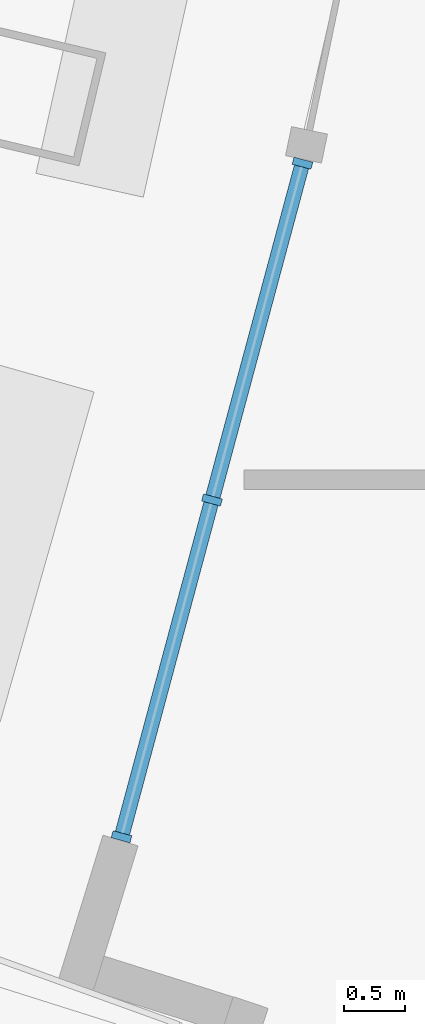
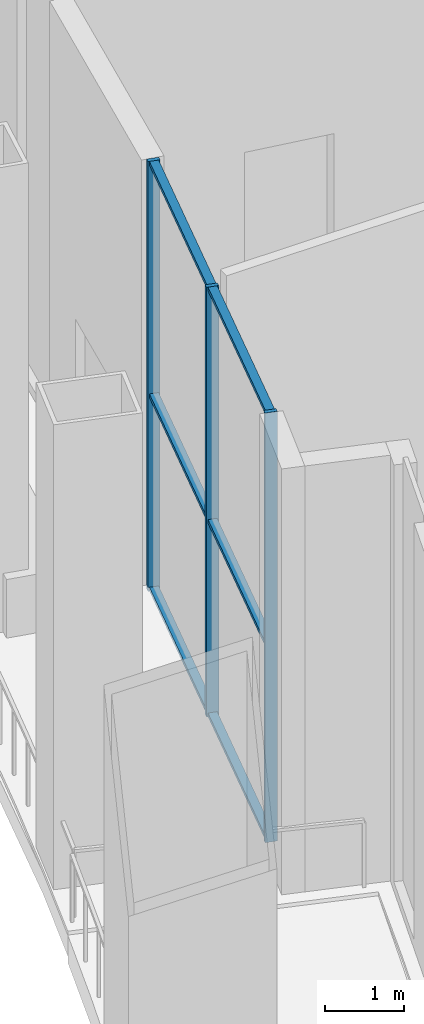
# One storey, part 2 of 18: 9 members, 1 element without a shape of its own.
"""IFC4 building model written with IfcOpenShell, lengths in metres."""

from ifc_helpers import new_model, si_unit, direction, frame, origin, origin_2d, place, context, subcontext, project, spatial, rectangle, extrude, material, layer, layer_set, material_profile, profile_set, type_object, element, aggregate, save


model = new_model("IFC4")

# Units and contexts
model_context = context("Model", 3, precision=1e-05, world=origin(), true_north=direction((0.0, 1.0)))
body_context = subcontext(model_context, "Body", "Model", "MODEL_VIEW")
ifc_project = project(units=[si_unit("LENGTHUNIT", "METRE"), si_unit("AREAUNIT", "SQUARE_METRE"), si_unit("VOLUMEUNIT", "CUBIC_METRE"), si_unit("PLANEANGLEUNIT", "RADIAN"), si_unit("MASSUNIT", "GRAM", prefix="KILO")], contexts=[model_context])

# Site, building, storey
site_placement = place(None, origin())
site = spatial("IfcSite", under=ifc_project, at=site_placement, CompositionType="ELEMENT")
building_placement = place(site_placement, origin())
building = spatial("IfcBuilding", under=site, at=building_placement, Name="Alderwake Tower", CompositionType="ELEMENT")
storey_placement = place(building_placement, frame((0.0, 0.0, 125.60009765625)))
storey = spatial("IfcBuildingStorey", under=building, at=storey_placement, Name="L31", CompositionType="ELEMENT", Elevation=125.60009765625)

# Curtain wall, members
ifc_material_1 = material(Name="Bronze tinted glass in aluminium frame", Category="aluminium")
ifc_layer = layer(ifc_material_1, 0.199951171875)
ifc_layer_set = layer_set([ifc_layer], Name="Curtain wall CW3 sky garden glazing")
curtain_wall_type = type_object("IfcCurtainWallType", Name="Curtain wall CW3 sky garden glazing", PredefinedType="NOTDEFINED", material=ifc_layer_set)
curtain_wall_placement = place(storey_placement, origin())
curtain_wall = element("IfcCurtainWall", 1, at=curtain_wall_placement, inside=storey, type_object=curtain_wall_type, Name="Curtain wall 2", PredefinedType="NOTDEFINED")
ifc_material_2 = material(Name="Aluminium bronze anodised", Category="aluminium")
ifc_material_profile_1 = material_profile(ifc_material_2, rectangle(XDim=0.159912109375, YDim=0.06005859375, at=origin_2d()), Name="Mullion MUC 60x160")
ifc_profile_set_1 = profile_set([ifc_material_profile_1], Name="Aluminium bronze anodised")
member_type_1 = type_object("IfcMemberType", Name="Mullion MUC 60x160", PredefinedType="MULLION", material=ifc_profile_set_1)
member_1_placement = place(storey_placement, frame((16.260498046875, 38.09033203125, 0.0), z_axis=(0.0, 0.0, 1.0), x_axis=(0.965747530447, -0.259483539814, 0.0)))
member_1 = element("IfcMember", 2, at=member_1_placement, type_object=member_type_1, Name="CW.02 mullion 1", PredefinedType="MULLION", context=body_context, shape_type="SweptSolid", body=[
    extrude(rectangle(XDim=0.159912109375, YDim=0.06005859375, at=origin_2d()), origin(), (0.0, 0.0, 1.0), 6.599853515625),
])
member_2_placement = place(storey_placement, frame((15.519775390625, 35.333740234375, 0.0), z_axis=(0.0, 0.0, 1.0), x_axis=(0.965747530447, -0.259483539814, 0.0)))
member_2 = element("IfcMember", 3, at=member_2_placement, type_object=member_type_1, Name="CW.02 mullion 2", PredefinedType="MULLION", context=body_context, shape_type="SweptSolid", body=[
    extrude(rectangle(XDim=0.159912109375, YDim=0.06005859375, at=origin_2d()), origin(), (0.0, 0.0, 1.0), 6.599853515625),
])
member_3_placement = place(storey_placement, frame((14.779296875, 32.577392578125, 0.0), z_axis=(0.0, 0.0, 1.0), x_axis=(0.965747530447, -0.259483539814, 0.0)))
member_3 = element("IfcMember", 4, at=member_3_placement, type_object=member_type_1, Name="CW.02 mullion 3", PredefinedType="MULLION", context=body_context, shape_type="SweptSolid", body=[
    extrude(rectangle(XDim=0.159912109375, YDim=0.06005859375, at=origin_2d()), origin(), (0.0, 0.0, 1.0), 6.599853515625),
])
ifc_material_3 = material(Name="Aluminium bronze anodised", Category="aluminium")
ifc_material_profile_2 = material_profile(ifc_material_3, rectangle(XDim=0.1201171875, YDim=0.06005859375, at=origin_2d()), Name="Transom TRC 60x120")
ifc_profile_set_2 = profile_set([ifc_material_profile_2], Name="Aluminium bronze anodised")
member_type_2 = type_object("IfcMemberType", Name="Transom TRC 60x120", PredefinedType="USERDEFINED", material=ifc_profile_set_2)
member_4_placement = place(storey_placement, frame((16.252685546875, 38.061279296875, 0.02978515625), z_axis=(-0.259500297844, -0.965743027632, 0.0), x_axis=(0.965743027632, -0.259500297844, 0.0)))
member_4 = element("IfcMember", 5, at=member_4_placement, type_object=member_type_2, Name="CW.02 transom 1.1", ObjectType="TRANSOM", PredefinedType="USERDEFINED", context=body_context, shape_type="SweptSolid", body=[
    extrude(rectangle(XDim=0.1201171875, YDim=0.06005859375, at=origin_2d()), origin(), (0.0, 0.0, 1.0), 2.794189453125),
])
member_5_placement = place(storey_placement, frame((16.252685546875, 38.061279296875, 3.0), z_axis=(-0.259500297844, -0.965743027632, 0.0), x_axis=(0.965743027632, -0.259500297844, 0.0)))
member_5 = element("IfcMember", 6, at=member_5_placement, type_object=member_type_2, Name="CW.02 transom 1.2", ObjectType="TRANSOM", PredefinedType="USERDEFINED", context=body_context, shape_type="SweptSolid", body=[
    extrude(rectangle(XDim=0.1201171875, YDim=0.06005859375, at=origin_2d()), origin(), (0.0, 0.0, 1.0), 2.794189453125),
])
member_6_placement = place(storey_placement, frame((16.252685546875, 38.061279296875, 6.56982421875), z_axis=(-0.259500297844, -0.965743027632, 0.0), x_axis=(0.965743027632, -0.259500297844, 0.0)))
member_6 = element("IfcMember", 7, at=member_6_placement, type_object=member_type_2, Name="CW.02 transom 1.3", ObjectType="TRANSOM", PredefinedType="USERDEFINED", context=body_context, shape_type="SweptSolid", body=[
    extrude(rectangle(XDim=0.1201171875, YDim=0.06005859375, at=origin_2d()), origin(), (0.0, 0.0, 1.0), 2.794189453125),
])
member_7_placement = place(storey_placement, frame((15.511962890625, 35.304931640625, 0.02978515625), z_axis=(-0.259500297844, -0.965743027632, 0.0), x_axis=(0.965743027632, -0.259500297844, 0.0)))
member_7 = element("IfcMember", 8, at=member_7_placement, type_object=member_type_2, Name="CW.02 transom 2.1", ObjectType="TRANSOM", PredefinedType="USERDEFINED", context=body_context, shape_type="SweptSolid", body=[
    extrude(rectangle(XDim=0.1201171875, YDim=0.06005859375, at=origin_2d()), origin(), (0.0, 0.0, 1.0), 2.794189453125),
])
member_8_placement = place(storey_placement, frame((15.511962890625, 35.304931640625, 3.0), z_axis=(-0.259500297844, -0.965743027632, 0.0), x_axis=(0.965743027632, -0.259500297844, 0.0)))
member_8 = element("IfcMember", 9, at=member_8_placement, type_object=member_type_2, Name="CW.02 transom 2.2", ObjectType="TRANSOM", PredefinedType="USERDEFINED", context=body_context, shape_type="SweptSolid", body=[
    extrude(rectangle(XDim=0.1201171875, YDim=0.06005859375, at=origin_2d()), origin(), (0.0, 0.0, 1.0), 2.794189453125),
])
member_9_placement = place(storey_placement, frame((15.511962890625, 35.304931640625, 6.56982421875), z_axis=(-0.259500297844, -0.965743027632, 0.0), x_axis=(0.965743027632, -0.259500297844, 0.0)))
member_9 = element("IfcMember", 10, at=member_9_placement, type_object=member_type_2, Name="CW.02 transom 2.3", ObjectType="TRANSOM", PredefinedType="USERDEFINED", context=body_context, shape_type="SweptSolid", body=[
    extrude(rectangle(XDim=0.1201171875, YDim=0.06005859375, at=origin_2d()), origin(), (0.0, 0.0, 1.0), 2.794189453125),
])
aggregate(curtain_wall, [member_1, member_2, member_3, member_4, member_5, member_6, member_7, member_8, member_9])

save(model, "model.ifc")
